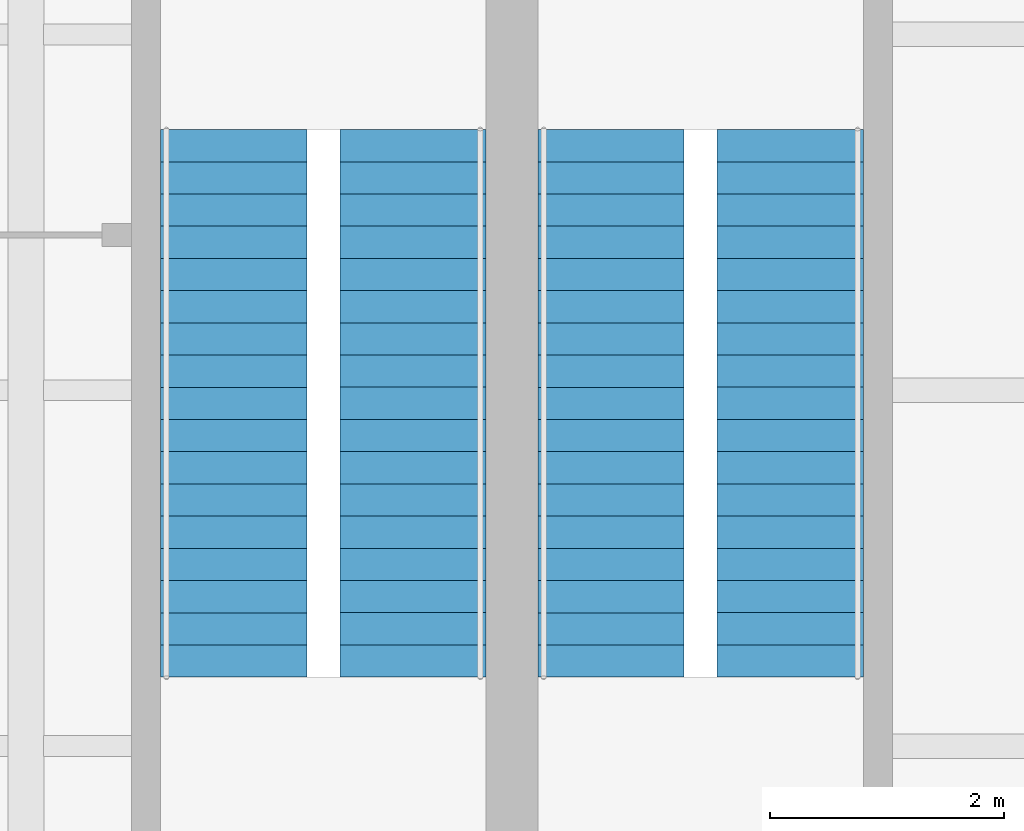
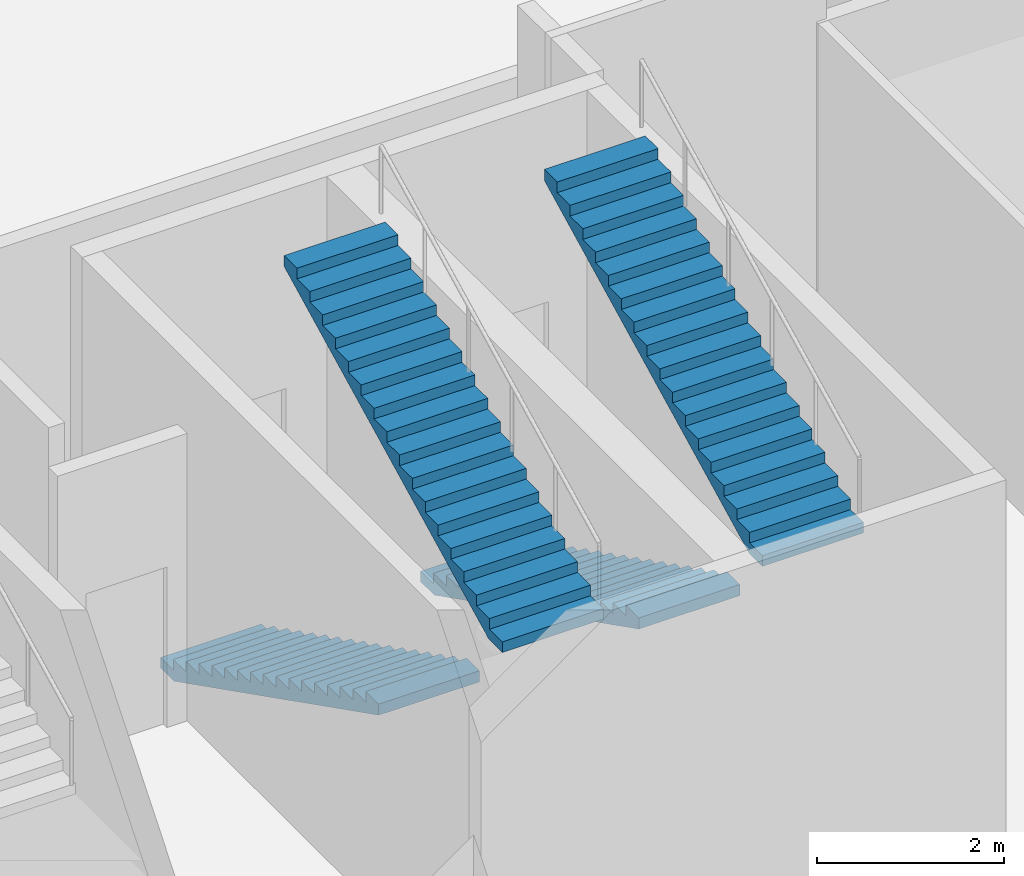
# One storey, part 16 of 17: 4 stair flights, 2 elements without a shape of their own.
"""IFC4 building model written with IfcOpenShell, lengths in metres."""

from ifc_helpers import new_model, si_unit, direction, frame, origin, place, context, subcontext, project, spatial, polyline, outline, extrude, source, transform, mapped, material, type_object, element, aggregate, save


model = new_model("IFC4")

# Units and contexts
model_context = context("Model", 3, precision=1e-05, world=origin(), true_north=direction((0.0, 1.0)))
body_context = subcontext(model_context, "Body", "Model", "MODEL_VIEW")
ifc_project = project(units=[si_unit("LENGTHUNIT", "METRE"), si_unit("AREAUNIT", "SQUARE_METRE"), si_unit("VOLUMEUNIT", "CUBIC_METRE"), si_unit("PLANEANGLEUNIT", "RADIAN"), si_unit("MASSUNIT", "GRAM", prefix="KILO")], contexts=[model_context])

# Site, building, storey
site_placement = place(None, origin())
site = spatial("IfcSite", under=ifc_project, at=site_placement, CompositionType="ELEMENT")
building_placement = place(site_placement, origin())
building = spatial("IfcBuilding", under=site, at=building_placement, Name="Trellis Farm Tower", CompositionType="ELEMENT")
storey_placement = place(building_placement, frame((0.0, 0.0, 19.0)))
storey = spatial("IfcBuildingStorey", under=building, at=storey_placement, Name="L03", CompositionType="ELEMENT", Elevation=19.0)

# Stair, stair flights
ifc_material = material(Name="Concrete C50/60", Category="concrete")
stair_type = type_object("IfcStairType", Name="PODIUM EXIT STAIR 36 RISERS 139 MM 1250 WIDE", PredefinedType="HALF_TURN_STAIR", material=ifc_material)
placement = place(storey_placement, origin())
stair_1 = element("IfcStair", 1, at=placement, inside=storey, type_object=stair_type, Name="Podium exit stair STP4A", PredefinedType="HALF_TURN_STAIR")
stair_flight_type = type_object("IfcStairFlightType", Name="PODIUM STAIR FLIGHT 18 RISERS 139 MM 1250 WIDE", PredefinedType="STRAIGHT", material=ifc_material)
shared_shape = source(origin(), body_context, "Body", "SweptSolid", [
    extrude(outline(polyline([(0.0, 0.0), (0.0, 0.138916015625), (0.27490234375, 0.138916015625), (0.27490234375, 0.27783203125), (0.550048828125, 0.27783203125), (0.550048828125, 0.416748046875), (0.824951171875, 0.416748046875), (0.824951171875, 0.5556640625), (1.10009765625, 0.5556640625), (1.10009765625, 0.6943359375), (1.375, 0.6943359375), (1.375, 0.833251953125), (1.64990234375, 0.833251953125), (1.64990234375, 0.97216796875), (1.925048828125, 0.97216796875), (1.925048828125, 1.111083984375), (2.199951171875, 1.111083984375), (2.199951171875, 1.25), (2.47509765625, 1.25), (2.47509765625, 1.388916015625), (2.75, 1.388916015625), (2.75, 1.52783203125), (3.02490234375, 1.52783203125), (3.02490234375, 1.666748046875), (3.300048828125, 1.666748046875), (3.300048828125, 1.8056640625), (3.574951171875, 1.8056640625), (3.574951171875, 1.9443359375), (3.85009765625, 1.9443359375), (3.85009765625, 2.083251953125), (4.125, 2.083251953125), (4.125, 2.22216796875), (4.39990234375, 2.22216796875), (4.39990234375, 2.361083984375), (4.675048828125, 2.361083984375), (4.675048828125, 2.5), (4.675048828125, 2.215576171875), (0.2880859375, 0.0), (0.0, 0.0)])), frame((0.0, 0.625, 0.0), z_axis=(0.0, -1.0, 0.0), x_axis=(1.0, 0.0, 0.0)), (0.0, 0.0, 1.0), 1.25),
])
stair_flight_1_placement = place(storey_placement, frame((20.375, 26.89990234375, 0.0), z_axis=(0.0, 0.0, 1.0), x_axis=(0.0, -1.0, 0.0)))
stair_flight_1 = element("IfcStairFlight", 2, at=stair_flight_1_placement, type_object=stair_flight_type, Name="STP4A flight 1", NumberOfRisers=18, NumberOfTreads=17, PredefinedType="STRAIGHT", RiserHeight=0.138888889, TreadLength=0.275, context=body_context, shape_type="MappedRepresentation", body=[
    mapped(shared_shape, transform((0.0, 0.0, 0.0))),
])
stair_flight_2_placement = place(storey_placement, frame((21.905029296875, 22.22509765625, 2.5), z_axis=(0.0, 0.0, 1.0), x_axis=(0.0, 1.0, 0.0)))
stair_flight_2 = element("IfcStairFlight", 3, at=stair_flight_2_placement, type_object=stair_flight_type, Name="STP4A flight 2", NumberOfRisers=18, NumberOfTreads=17, PredefinedType="STRAIGHT", RiserHeight=0.138888889, TreadLength=0.275, context=body_context, shape_type="MappedRepresentation", body=[
    mapped(shared_shape, transform((0.0, 0.0, 0.0))),
])
aggregate(stair_1, [stair_flight_1, stair_flight_2])

stair_2 = element("IfcStair", 4, at=placement, inside=storey, type_object=stair_type, Name="Podium exit stair STP4B", PredefinedType="HALF_TURN_STAIR")
stair_flight_3_placement = place(storey_placement, frame((23.594970703125, 26.89990234375, 0.0), z_axis=(0.0, 0.0, 1.0), x_axis=(0.0, -1.0, 0.0)))
stair_flight_3 = element("IfcStairFlight", 5, at=stair_flight_3_placement, type_object=stair_flight_type, Name="STP4B flight 1", NumberOfRisers=18, NumberOfTreads=17, PredefinedType="STRAIGHT", RiserHeight=0.138888889, TreadLength=0.275, context=body_context, shape_type="MappedRepresentation", body=[
    mapped(shared_shape, transform((0.0, 0.0, 0.0))),
])
stair_flight_4_placement = place(storey_placement, frame((25.125, 22.22509765625, 2.5), z_axis=(0.0, 0.0, 1.0), x_axis=(0.0, 1.0, 0.0)))
stair_flight_4 = element("IfcStairFlight", 6, at=stair_flight_4_placement, type_object=stair_flight_type, Name="STP4B flight 2", NumberOfRisers=18, NumberOfTreads=17, PredefinedType="STRAIGHT", RiserHeight=0.138888889, TreadLength=0.275, context=body_context, shape_type="MappedRepresentation", body=[
    mapped(shared_shape, transform((0.0, 0.0, 0.0))),
])
aggregate(stair_2, [stair_flight_3, stair_flight_4])

save(model, "model.ifc")
